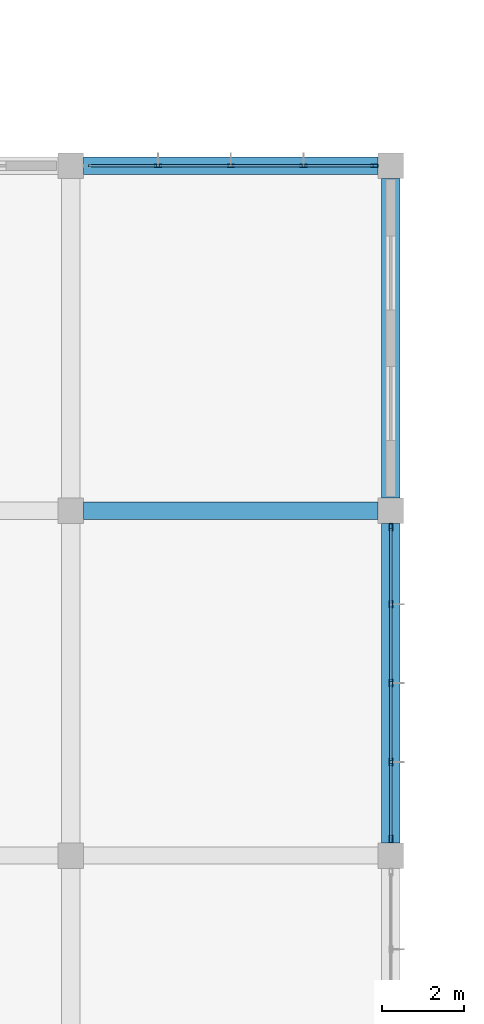
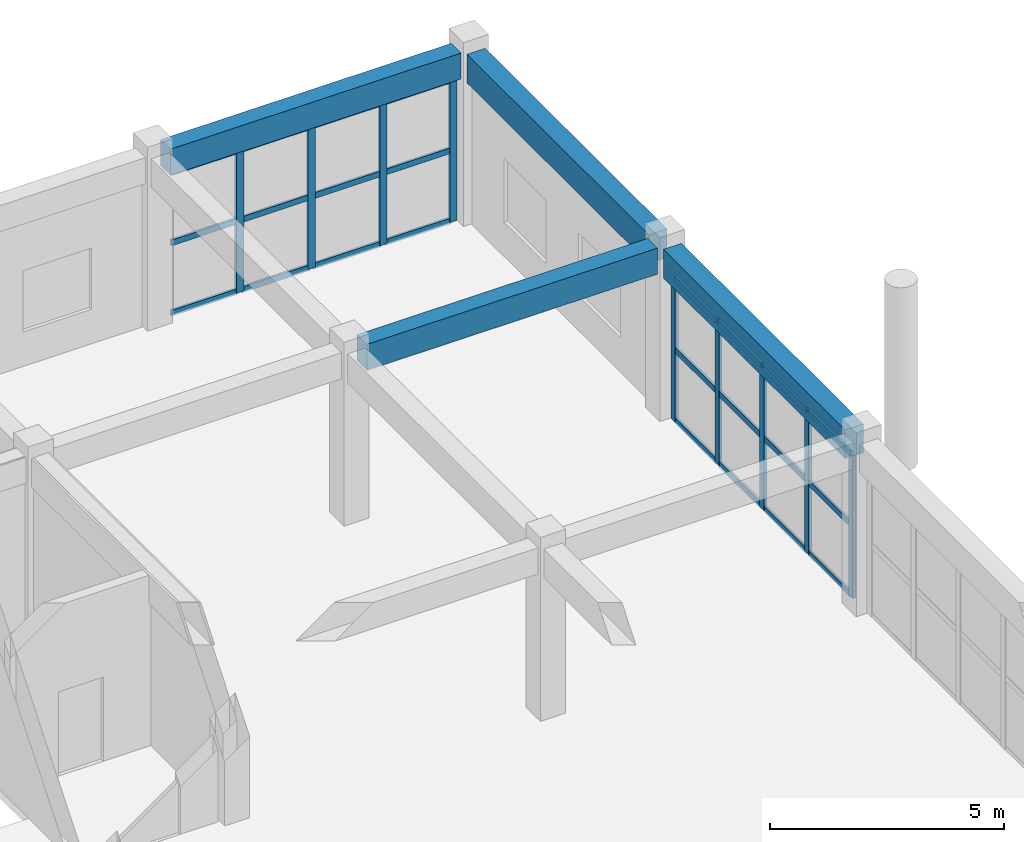
# One storey, part 116 of 167: 33 members, 4 beams, 2 elements without a shape of their own.
"""IFC4 building model written with IfcOpenShell, lengths in metres."""

from ifc_helpers import new_model, si_unit, direction, frame, origin, origin_2d, place, context, subcontext, project, spatial, rectangle, hollow_rectangle, extrude, material, layer, layer_set, material_profile, profile_set, type_object, element, aggregate, save


model = new_model("IFC4")

# Units and contexts
model_context = context("Model", 3, precision=1e-05, world=origin(), true_north=direction((0.0, 1.0)))
body_context = subcontext(model_context, "Body", "Model", "MODEL_VIEW")
ifc_project = project(units=[si_unit("LENGTHUNIT", "METRE"), si_unit("AREAUNIT", "SQUARE_METRE"), si_unit("VOLUMEUNIT", "CUBIC_METRE"), si_unit("PLANEANGLEUNIT", "RADIAN"), si_unit("MASSUNIT", "GRAM", prefix="KILO")], contexts=[model_context])

# Site, building, storey
site_placement = place(None, origin())
site = spatial("IfcSite", under=ifc_project, at=site_placement, CompositionType="ELEMENT")
building_placement = place(site_placement, origin())
building = spatial("IfcBuilding", under=site, at=building_placement, Name="Zizhar Promenade General Hospital", CompositionType="ELEMENT")
storey_placement = place(building_placement, frame((0.0, 0.0, 9.60009765625)))
storey = spatial("IfcBuildingStorey", under=building, at=storey_placement, Name="L02", CompositionType="ELEMENT", Elevation=9.60009765625)

# Beams
ifc_material_1 = material(Name="Concrete C35/45", Category="concrete")
ifc_material_profile_1 = material_profile(ifc_material_1, rectangle(XDim=0.419921875, YDim=0.679931640625, at=origin_2d()))
ifc_profile_set_1 = profile_set([ifc_material_profile_1], Name="Concrete C35/45")
beam_type_1 = type_object("IfcBeamType", Name="BM-RC-420x680", PredefinedType="JOIST", material=ifc_profile_set_1)
for number, where, z_axis, x_axis, name in (
    (1, (187.510009765625, 100.800048828125, 4.1298828125), (1.0, 0.0, 0.0), (0.0, 1.0, 0.0), "Grid Beam X L02 (24-12)"),
    (2, (187.510009765625, 109.199951171875, 4.1298828125), (1.0, 0.0, 0.0), (0.0, 1.0, 0.0), "Grid Beam X L02 (24-13)"),
):
    element("IfcBeam", number, at=place(storey_placement, frame(where, z_axis=z_axis, x_axis=x_axis)), inside=storey, type_object=beam_type_1, Name=name, PredefinedType="JOIST", context=body_context, shape_type="SweptSolid", body=[
        extrude(rectangle(XDim=0.419921875, YDim=0.679931640625, at=origin_2d()), origin(), (0.0, 0.0, 1.0), 7.179931640625),
    ])
ifc_material_2 = material(Name="Concrete C35/45", Category="concrete")
ifc_material_profile_2 = material_profile(ifc_material_2, rectangle(XDim=0.449951171875, YDim=0.75, at=origin_2d()))
ifc_profile_set_2 = profile_set([ifc_material_profile_2], Name="Concrete C35/45")
beam_type_2 = type_object("IfcBeamType", Name="BM-RC-450x750", PredefinedType="BEAM", material=ifc_profile_set_2)
beam_1_placement = place(storey_placement, frame((195.0, 92.7099609375, 4.094970703125), z_axis=(0.0, 1.0, 0.0), x_axis=(-1.0, 0.0, 0.0)))
element("IfcBeam", 3, at=beam_1_placement, inside=storey, type_object=beam_type_2, Name="Grid Beam Y L02 (25-11)", PredefinedType="BEAM", context=body_context, shape_type="SweptSolid", body=[
    extrude(rectangle(XDim=0.449951171875, YDim=0.75, at=origin_2d()), origin(), (0.0, 0.0, 1.0), 7.780029296875),
])
beam_2_placement = place(storey_placement, frame((195.0, 101.110107421875, 4.094970703125), z_axis=(0.0, 1.0, 0.0), x_axis=(-1.0, 0.0, 0.0)))
element("IfcBeam", 4, at=beam_2_placement, inside=storey, type_object=beam_type_2, Name="Grid Beam Y L02 (25-12)", PredefinedType="BEAM", context=body_context, shape_type="SweptSolid", body=[
    extrude(rectangle(XDim=0.449951171875, YDim=0.75, at=origin_2d()), origin(), (0.0, 0.0, 1.0), 7.77978515625),
])

# Curtain wall, members
ifc_material_3 = material(Name="Anodised aluminium 6063-T6 and low-E glass", Category="aluminium")
ifc_layer = layer(ifc_material_3, 0.159912109375)
ifc_layer_set = layer_set([ifc_layer], Name="Anodised aluminium 6063-T6 and low-E glass")
curtain_wall_type = type_object("IfcCurtainWallType", Name="CW-CLN-EXT", PredefinedType="NOTDEFINED", material=ifc_layer_set)
curtain_wall_1_placement = place(storey_placement, origin())
curtain_wall_1 = element("IfcCurtainWall", 5, at=curtain_wall_1_placement, inside=storey, type_object=curtain_wall_type, Name="Outpatient North Curtain Wall L02-24", PredefinedType="NOTDEFINED")
ifc_material_4 = material(Name="Anodised aluminium 6063-T6", Category="aluminium")
ifc_material_profile_3 = material_profile(ifc_material_4, hollow_rectangle(XDim=0.080078125, YDim=0.179931640625, WallThickness=0.0048828125, at=origin_2d()))
ifc_profile_set_3 = profile_set([ifc_material_profile_3], Name="Anodised aluminium 6063-T6")
member_type_1 = type_object("IfcMemberType", Name="CWM-ALU-180x80", PredefinedType="MULLION", material=ifc_profile_set_3)
member_1_placement = place(storey_placement, frame((189.330078125, 109.199951171875, 0.0), z_axis=(0.0, 0.0, 1.0), x_axis=(0.0, 1.0, 0.0)))
member_1 = element("IfcMember", 6, at=member_1_placement, type_object=member_type_1, Name="CW-09 mullion 2", PredefinedType="MULLION", context=body_context, shape_type="SweptSolid", body=[
    extrude(hollow_rectangle(XDim=0.080078125, YDim=0.179931640625, WallThickness=0.0048828125, at=origin_2d()), origin(), (0.0, 0.0, 1.0), 3.72998046875),
])
member_2_placement = place(storey_placement, frame((191.10009765625, 109.199951171875, 0.0), z_axis=(0.0, 0.0, 1.0), x_axis=(0.0, 1.0, 0.0)))
member_2 = element("IfcMember", 7, at=member_2_placement, type_object=member_type_1, Name="CW-09 mullion 3", PredefinedType="MULLION", context=body_context, shape_type="SweptSolid", body=[
    extrude(hollow_rectangle(XDim=0.080078125, YDim=0.179931640625, WallThickness=0.0048828125, at=origin_2d()), origin(), (0.0, 0.0, 1.0), 3.72998046875),
])
member_3_placement = place(storey_placement, frame((192.8701171875, 109.199951171875, 0.0), z_axis=(0.0, 0.0, 1.0), x_axis=(0.0, 1.0, 0.0)))
member_3 = element("IfcMember", 8, at=member_3_placement, type_object=member_type_1, Name="CW-09 mullion 4", PredefinedType="MULLION", context=body_context, shape_type="SweptSolid", body=[
    extrude(hollow_rectangle(XDim=0.080078125, YDim=0.179931640625, WallThickness=0.0048828125, at=origin_2d()), origin(), (0.0, 0.0, 1.0), 3.72998046875),
])
member_4_placement = place(storey_placement, frame((194.60009765625, 109.199951171875, 0.0), z_axis=(0.0, 0.0, 1.0), x_axis=(0.0, 1.0, 0.0)))
member_4 = element("IfcMember", 9, at=member_4_placement, type_object=member_type_1, Name="CW-09 mullion 5", PredefinedType="MULLION", context=body_context, shape_type="SweptSolid", body=[
    extrude(hollow_rectangle(XDim=0.080078125, YDim=0.179931640625, WallThickness=0.0048828125, at=origin_2d()), origin(), (0.0, 0.0, 1.0), 3.72998046875),
])

curtain_wall_2_placement = place(storey_placement, origin())
curtain_wall_2 = element("IfcCurtainWall", 10, at=curtain_wall_2_placement, inside=storey, type_object=curtain_wall_type, Name="Outpatient East Curtain Wall L02-11", PredefinedType="NOTDEFINED")
member_5_placement = place(storey_placement, frame((195.0, 100.39990234375, 0.0), z_axis=(0.0, 0.0, 1.0), x_axis=(1.0, 0.0, 0.0)))
member_5 = element("IfcMember", 11, at=member_5_placement, type_object=member_type_1, Name="CW-09 mullion 1", PredefinedType="MULLION", context=body_context, shape_type="SweptSolid", body=[
    extrude(hollow_rectangle(XDim=0.080078125, YDim=0.179931640625, WallThickness=0.0048828125, at=origin_2d()), origin(), (0.0, 0.0, 1.0), 3.72998046875),
])
member_6_placement = place(storey_placement, frame((195.0, 98.52001953125, 0.0), z_axis=(0.0, 0.0, 1.0), x_axis=(1.0, 0.0, 0.0)))
member_6 = element("IfcMember", 12, at=member_6_placement, type_object=member_type_1, Name="CW-09 mullion 2", PredefinedType="MULLION", context=body_context, shape_type="SweptSolid", body=[
    extrude(hollow_rectangle(XDim=0.080078125, YDim=0.179931640625, WallThickness=0.0048828125, at=origin_2d()), origin(), (0.0, 0.0, 1.0), 3.72998046875),
])
member_7_placement = place(storey_placement, frame((195.0, 96.60009765625, 0.0), z_axis=(0.0, 0.0, 1.0), x_axis=(1.0, 0.0, 0.0)))
member_7 = element("IfcMember", 13, at=member_7_placement, type_object=member_type_1, Name="CW-09 mullion 3", PredefinedType="MULLION", context=body_context, shape_type="SweptSolid", body=[
    extrude(hollow_rectangle(XDim=0.080078125, YDim=0.179931640625, WallThickness=0.0048828125, at=origin_2d()), origin(), (0.0, 0.0, 1.0), 3.72998046875),
])
member_8_placement = place(storey_placement, frame((195.0, 94.679931640625, 0.0), z_axis=(0.0, 0.0, 1.0), x_axis=(1.0, 0.0, 0.0)))
member_8 = element("IfcMember", 14, at=member_8_placement, type_object=member_type_1, Name="CW-09 mullion 4", PredefinedType="MULLION", context=body_context, shape_type="SweptSolid", body=[
    extrude(hollow_rectangle(XDim=0.080078125, YDim=0.179931640625, WallThickness=0.0048828125, at=origin_2d()), origin(), (0.0, 0.0, 1.0), 3.72998046875),
])
member_9_placement = place(storey_placement, frame((195.0, 92.800048828125, 0.0), z_axis=(0.0, 0.0, 1.0), x_axis=(1.0, 0.0, 0.0)))
member_9 = element("IfcMember", 15, at=member_9_placement, type_object=member_type_1, Name="CW-09 mullion 5", PredefinedType="MULLION", context=body_context, shape_type="SweptSolid", body=[
    extrude(hollow_rectangle(XDim=0.080078125, YDim=0.179931640625, WallThickness=0.0048828125, at=origin_2d()), origin(), (0.0, 0.0, 1.0), 3.72998046875),
])

# Member
ifc_material_5 = material(Name="Anodised aluminium 6063-T6", Category="aluminium")
ifc_material_profile_4 = material_profile(ifc_material_5, hollow_rectangle(XDim=0.06005859375, YDim=0.14990234375, WallThickness=0.00390625, at=origin_2d()))
ifc_profile_set_4 = profile_set([ifc_material_profile_4], Name="Anodised aluminium 6063-T6")
member_type_2 = type_object("IfcMemberType", Name="CWT-ALU-150x60", PredefinedType="USERDEFINED", material=ifc_profile_set_4)
member_10_placement = place(storey_placement, frame((187.639892578125, 109.199951171875, 0.02978515625), z_axis=(1.0, 0.0, 0.0), x_axis=(0.0, 1.0, 0.0)))
member_10 = element("IfcMember", 16, at=member_10_placement, type_object=member_type_2, Name="CW-09 transom 1.1", ObjectType="TRANSOM", PredefinedType="USERDEFINED", context=body_context, shape_type="SweptSolid", body=[
    extrude(hollow_rectangle(XDim=0.06005859375, YDim=0.14990234375, WallThickness=0.00390625, at=origin_2d()), origin(), (0.0, 0.0, 1.0), 1.650146484375),
])

member_11_placement = place(storey_placement, frame((187.639892578125, 109.199951171875, 1.864990234375), z_axis=(1.0, 0.0, 0.0), x_axis=(0.0, 1.0, 0.0)))
member_11 = element("IfcMember", 17, at=member_11_placement, type_object=member_type_2, Name="CW-09 transom 1.2", ObjectType="TRANSOM", PredefinedType="USERDEFINED", context=body_context, shape_type="SweptSolid", body=[
    extrude(hollow_rectangle(XDim=0.06005859375, YDim=0.14990234375, WallThickness=0.00390625, at=origin_2d()), origin(), (0.0, 0.0, 1.0), 1.650146484375),
])

member_12_placement = place(storey_placement, frame((187.639892578125, 109.199951171875, 3.699951171875), z_axis=(1.0, 0.0, 0.0), x_axis=(0.0, 1.0, 0.0)))
member_12 = element("IfcMember", 18, at=member_12_placement, type_object=member_type_2, Name="CW-09 transom 1.3", ObjectType="TRANSOM", PredefinedType="USERDEFINED", context=body_context, shape_type="SweptSolid", body=[
    extrude(hollow_rectangle(XDim=0.06005859375, YDim=0.14990234375, WallThickness=0.00390625, at=origin_2d()), origin(), (0.0, 0.0, 1.0), 1.650146484375),
])

member_13_placement = place(storey_placement, frame((189.3701171875, 109.199951171875, 0.02978515625), z_axis=(1.0, 0.0, 0.0), x_axis=(0.0, 1.0, 0.0)))
member_13 = element("IfcMember", 19, at=member_13_placement, type_object=member_type_2, Name="CW-09 transom 2.1", ObjectType="TRANSOM", PredefinedType="USERDEFINED", context=body_context, shape_type="SweptSolid", body=[
    extrude(hollow_rectangle(XDim=0.06005859375, YDim=0.14990234375, WallThickness=0.00390625, at=origin_2d()), origin(), (0.0, 0.0, 1.0), 1.68994140625),
])

member_14_placement = place(storey_placement, frame((189.3701171875, 109.199951171875, 1.864990234375), z_axis=(1.0, 0.0, 0.0), x_axis=(0.0, 1.0, 0.0)))
member_14 = element("IfcMember", 20, at=member_14_placement, type_object=member_type_2, Name="CW-09 transom 2.2", ObjectType="TRANSOM", PredefinedType="USERDEFINED", context=body_context, shape_type="SweptSolid", body=[
    extrude(hollow_rectangle(XDim=0.06005859375, YDim=0.14990234375, WallThickness=0.00390625, at=origin_2d()), origin(), (0.0, 0.0, 1.0), 1.68994140625),
])

member_15_placement = place(storey_placement, frame((189.3701171875, 109.199951171875, 3.699951171875), z_axis=(1.0, 0.0, 0.0), x_axis=(0.0, 1.0, 0.0)))
member_15 = element("IfcMember", 21, at=member_15_placement, type_object=member_type_2, Name="CW-09 transom 2.3", ObjectType="TRANSOM", PredefinedType="USERDEFINED", context=body_context, shape_type="SweptSolid", body=[
    extrude(hollow_rectangle(XDim=0.06005859375, YDim=0.14990234375, WallThickness=0.00390625, at=origin_2d()), origin(), (0.0, 0.0, 1.0), 1.68994140625),
])

member_16_placement = place(storey_placement, frame((191.139892578125, 109.199951171875, 0.02978515625), z_axis=(1.0, 0.0, 0.0), x_axis=(0.0, 1.0, 0.0)))
member_16 = element("IfcMember", 22, at=member_16_placement, type_object=member_type_2, Name="CW-09 transom 3.1", ObjectType="TRANSOM", PredefinedType="USERDEFINED", context=body_context, shape_type="SweptSolid", body=[
    extrude(hollow_rectangle(XDim=0.06005859375, YDim=0.14990234375, WallThickness=0.00390625, at=origin_2d()), origin(), (0.0, 0.0, 1.0), 1.690185546875),
])

member_17_placement = place(storey_placement, frame((191.139892578125, 109.199951171875, 1.864990234375), z_axis=(1.0, 0.0, 0.0), x_axis=(0.0, 1.0, 0.0)))
member_17 = element("IfcMember", 23, at=member_17_placement, type_object=member_type_2, Name="CW-09 transom 3.2", ObjectType="TRANSOM", PredefinedType="USERDEFINED", context=body_context, shape_type="SweptSolid", body=[
    extrude(hollow_rectangle(XDim=0.06005859375, YDim=0.14990234375, WallThickness=0.00390625, at=origin_2d()), origin(), (0.0, 0.0, 1.0), 1.690185546875),
])

member_18_placement = place(storey_placement, frame((191.139892578125, 109.199951171875, 3.699951171875), z_axis=(1.0, 0.0, 0.0), x_axis=(0.0, 1.0, 0.0)))
member_18 = element("IfcMember", 24, at=member_18_placement, type_object=member_type_2, Name="CW-09 transom 3.3", ObjectType="TRANSOM", PredefinedType="USERDEFINED", context=body_context, shape_type="SweptSolid", body=[
    extrude(hollow_rectangle(XDim=0.06005859375, YDim=0.14990234375, WallThickness=0.00390625, at=origin_2d()), origin(), (0.0, 0.0, 1.0), 1.690185546875),
])

member_19_placement = place(storey_placement, frame((192.909912109375, 109.199951171875, 0.02978515625), z_axis=(1.0, 0.0, 0.0), x_axis=(0.0, 1.0, 0.0)))
member_19 = element("IfcMember", 25, at=member_19_placement, type_object=member_type_2, Name="CW-09 transom 4.1", ObjectType="TRANSOM", PredefinedType="USERDEFINED", context=body_context, shape_type="SweptSolid", body=[
    extrude(hollow_rectangle(XDim=0.06005859375, YDim=0.14990234375, WallThickness=0.00390625, at=origin_2d()), origin(), (0.0, 0.0, 1.0), 1.650146484375),
])

member_20_placement = place(storey_placement, frame((192.909912109375, 109.199951171875, 1.864990234375), z_axis=(1.0, 0.0, 0.0), x_axis=(0.0, 1.0, 0.0)))
member_20 = element("IfcMember", 26, at=member_20_placement, type_object=member_type_2, Name="CW-09 transom 4.2", ObjectType="TRANSOM", PredefinedType="USERDEFINED", context=body_context, shape_type="SweptSolid", body=[
    extrude(hollow_rectangle(XDim=0.06005859375, YDim=0.14990234375, WallThickness=0.00390625, at=origin_2d()), origin(), (0.0, 0.0, 1.0), 1.650146484375),
])

member_21_placement = place(storey_placement, frame((192.909912109375, 109.199951171875, 3.699951171875), z_axis=(1.0, 0.0, 0.0), x_axis=(0.0, 1.0, 0.0)))
member_21 = element("IfcMember", 27, at=member_21_placement, type_object=member_type_2, Name="CW-09 transom 4.3", ObjectType="TRANSOM", PredefinedType="USERDEFINED", context=body_context, shape_type="SweptSolid", body=[
    extrude(hollow_rectangle(XDim=0.06005859375, YDim=0.14990234375, WallThickness=0.00390625, at=origin_2d()), origin(), (0.0, 0.0, 1.0), 1.650146484375),
])

aggregate(curtain_wall_1, [member_1, member_2, member_3, member_4, member_10, member_11, member_12, member_13, member_14, member_15, member_16, member_17, member_18, member_19, member_20, member_21])

member_22_placement = place(storey_placement, frame((195.0, 100.360107421875, 0.02978515625), z_axis=(0.0, -1.0, 0.0), x_axis=(1.0, 0.0, 0.0)))
member_22 = element("IfcMember", 28, at=member_22_placement, type_object=member_type_2, Name="CW-09 transom 1.1", ObjectType="TRANSOM", PredefinedType="USERDEFINED", context=body_context, shape_type="SweptSolid", body=[
    extrude(hollow_rectangle(XDim=0.06005859375, YDim=0.14990234375, WallThickness=0.00390625, at=origin_2d()), origin(), (0.0, 0.0, 1.0), 1.800048828125),
])

member_23_placement = place(storey_placement, frame((195.0, 100.360107421875, 1.864990234375), z_axis=(0.0, -1.0, 0.0), x_axis=(1.0, 0.0, 0.0)))
member_23 = element("IfcMember", 29, at=member_23_placement, type_object=member_type_2, Name="CW-09 transom 1.2", ObjectType="TRANSOM", PredefinedType="USERDEFINED", context=body_context, shape_type="SweptSolid", body=[
    extrude(hollow_rectangle(XDim=0.06005859375, YDim=0.14990234375, WallThickness=0.00390625, at=origin_2d()), origin(), (0.0, 0.0, 1.0), 1.800048828125),
])

member_24_placement = place(storey_placement, frame((195.0, 100.360107421875, 3.699951171875), z_axis=(0.0, -1.0, 0.0), x_axis=(1.0, 0.0, 0.0)))
member_24 = element("IfcMember", 30, at=member_24_placement, type_object=member_type_2, Name="CW-09 transom 1.3", ObjectType="TRANSOM", PredefinedType="USERDEFINED", context=body_context, shape_type="SweptSolid", body=[
    extrude(hollow_rectangle(XDim=0.06005859375, YDim=0.14990234375, WallThickness=0.00390625, at=origin_2d()), origin(), (0.0, 0.0, 1.0), 1.800048828125),
])

member_25_placement = place(storey_placement, frame((195.0, 98.47998046875, 0.02978515625), z_axis=(0.0, -1.0, 0.0), x_axis=(1.0, 0.0, 0.0)))
member_25 = element("IfcMember", 31, at=member_25_placement, type_object=member_type_2, Name="CW-09 transom 2.1", ObjectType="TRANSOM", PredefinedType="USERDEFINED", context=body_context, shape_type="SweptSolid", body=[
    extrude(hollow_rectangle(XDim=0.06005859375, YDim=0.14990234375, WallThickness=0.00390625, at=origin_2d()), origin(), (0.0, 0.0, 1.0), 1.840087890625),
])

member_26_placement = place(storey_placement, frame((195.0, 98.47998046875, 1.864990234375), z_axis=(0.0, -1.0, 0.0), x_axis=(1.0, 0.0, 0.0)))
member_26 = element("IfcMember", 32, at=member_26_placement, type_object=member_type_2, Name="CW-09 transom 2.2", ObjectType="TRANSOM", PredefinedType="USERDEFINED", context=body_context, shape_type="SweptSolid", body=[
    extrude(hollow_rectangle(XDim=0.06005859375, YDim=0.14990234375, WallThickness=0.00390625, at=origin_2d()), origin(), (0.0, 0.0, 1.0), 1.840087890625),
])

member_27_placement = place(storey_placement, frame((195.0, 98.47998046875, 3.699951171875), z_axis=(0.0, -1.0, 0.0), x_axis=(1.0, 0.0, 0.0)))
member_27 = element("IfcMember", 33, at=member_27_placement, type_object=member_type_2, Name="CW-09 transom 2.3", ObjectType="TRANSOM", PredefinedType="USERDEFINED", context=body_context, shape_type="SweptSolid", body=[
    extrude(hollow_rectangle(XDim=0.06005859375, YDim=0.14990234375, WallThickness=0.00390625, at=origin_2d()), origin(), (0.0, 0.0, 1.0), 1.840087890625),
])

member_28_placement = place(storey_placement, frame((195.0, 96.56005859375, 0.02978515625), z_axis=(0.0, -1.0, 0.0), x_axis=(1.0, 0.0, 0.0)))
member_28 = element("IfcMember", 34, at=member_28_placement, type_object=member_type_2, Name="CW-09 transom 3.1", ObjectType="TRANSOM", PredefinedType="USERDEFINED", context=body_context, shape_type="SweptSolid", body=[
    extrude(hollow_rectangle(XDim=0.06005859375, YDim=0.14990234375, WallThickness=0.00390625, at=origin_2d()), origin(), (0.0, 0.0, 1.0), 1.840087890625),
])

member_29_placement = place(storey_placement, frame((195.0, 96.56005859375, 1.864990234375), z_axis=(0.0, -1.0, 0.0), x_axis=(1.0, 0.0, 0.0)))
member_29 = element("IfcMember", 35, at=member_29_placement, type_object=member_type_2, Name="CW-09 transom 3.2", ObjectType="TRANSOM", PredefinedType="USERDEFINED", context=body_context, shape_type="SweptSolid", body=[
    extrude(hollow_rectangle(XDim=0.06005859375, YDim=0.14990234375, WallThickness=0.00390625, at=origin_2d()), origin(), (0.0, 0.0, 1.0), 1.840087890625),
])

member_30_placement = place(storey_placement, frame((195.0, 96.56005859375, 3.699951171875), z_axis=(0.0, -1.0, 0.0), x_axis=(1.0, 0.0, 0.0)))
member_30 = element("IfcMember", 36, at=member_30_placement, type_object=member_type_2, Name="CW-09 transom 3.3", ObjectType="TRANSOM", PredefinedType="USERDEFINED", context=body_context, shape_type="SweptSolid", body=[
    extrude(hollow_rectangle(XDim=0.06005859375, YDim=0.14990234375, WallThickness=0.00390625, at=origin_2d()), origin(), (0.0, 0.0, 1.0), 1.840087890625),
])

member_31_placement = place(storey_placement, frame((195.0, 94.639892578125, 0.02978515625), z_axis=(0.0, -1.0, 0.0), x_axis=(1.0, 0.0, 0.0)))
member_31 = element("IfcMember", 37, at=member_31_placement, type_object=member_type_2, Name="CW-09 transom 4.1", ObjectType="TRANSOM", PredefinedType="USERDEFINED", context=body_context, shape_type="SweptSolid", body=[
    extrude(hollow_rectangle(XDim=0.06005859375, YDim=0.14990234375, WallThickness=0.00390625, at=origin_2d()), origin(), (0.0, 0.0, 1.0), 1.7998046875),
])

member_32_placement = place(storey_placement, frame((195.0, 94.639892578125, 1.864990234375), z_axis=(0.0, -1.0, 0.0), x_axis=(1.0, 0.0, 0.0)))
member_32 = element("IfcMember", 38, at=member_32_placement, type_object=member_type_2, Name="CW-09 transom 4.2", ObjectType="TRANSOM", PredefinedType="USERDEFINED", context=body_context, shape_type="SweptSolid", body=[
    extrude(hollow_rectangle(XDim=0.06005859375, YDim=0.14990234375, WallThickness=0.00390625, at=origin_2d()), origin(), (0.0, 0.0, 1.0), 1.7998046875),
])

member_33_placement = place(storey_placement, frame((195.0, 94.639892578125, 3.699951171875), z_axis=(0.0, -1.0, 0.0), x_axis=(1.0, 0.0, 0.0)))
member_33 = element("IfcMember", 39, at=member_33_placement, type_object=member_type_2, Name="CW-09 transom 4.3", ObjectType="TRANSOM", PredefinedType="USERDEFINED", context=body_context, shape_type="SweptSolid", body=[
    extrude(hollow_rectangle(XDim=0.06005859375, YDim=0.14990234375, WallThickness=0.00390625, at=origin_2d()), origin(), (0.0, 0.0, 1.0), 1.7998046875),
])

aggregate(curtain_wall_2, [member_5, member_6, member_7, member_8, member_9, member_22, member_23, member_24, member_25, member_26, member_27, member_28, member_29, member_30, member_31, member_32, member_33])

save(model, "model.ifc")
